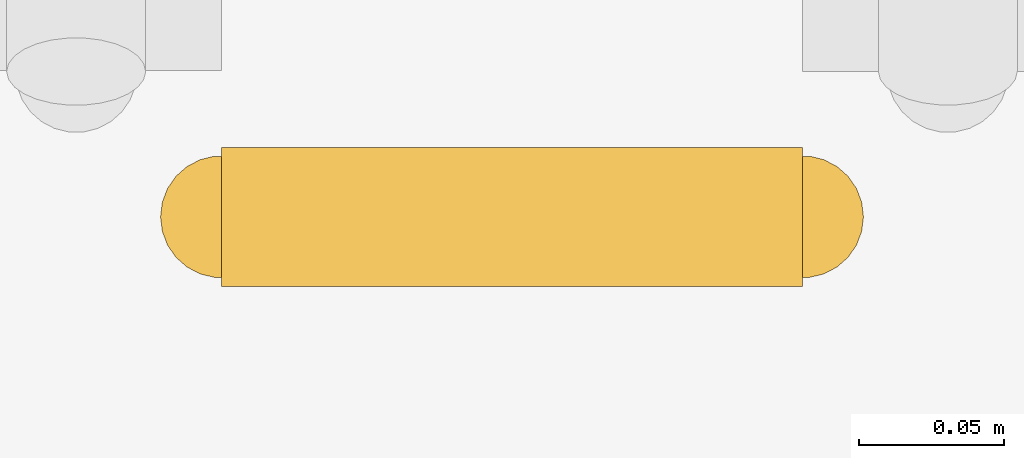
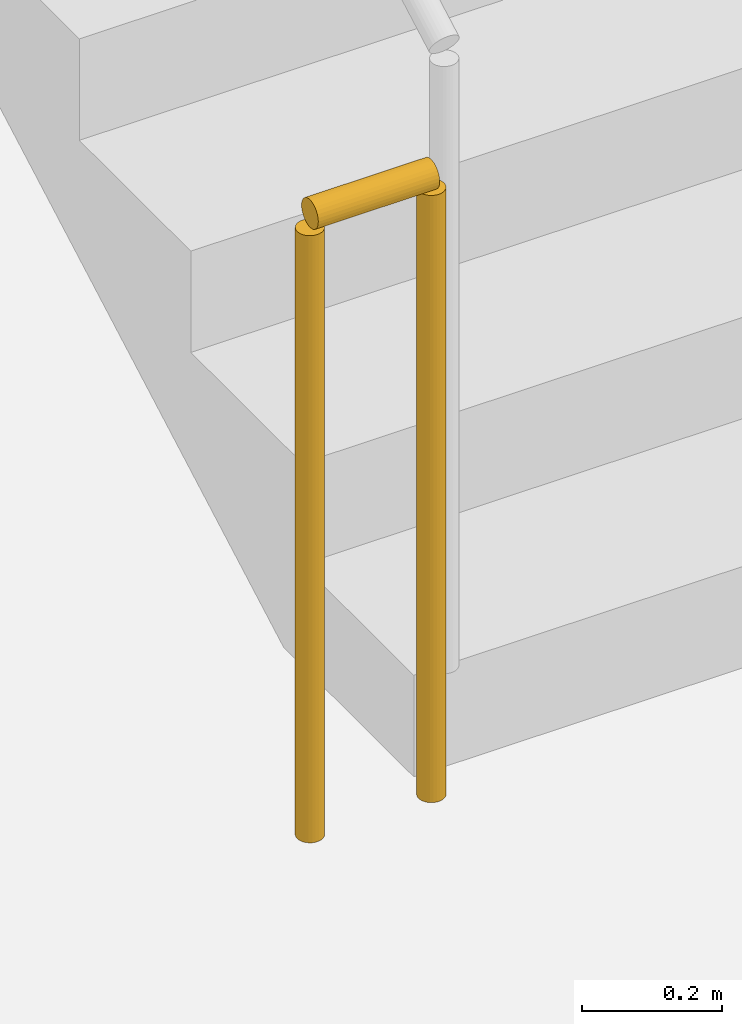
# One storey, part 112 of 121: 1 railing.
"""IFC4 building model written with IfcOpenShell, lengths in metres."""

from ifc_helpers import new_model, si_unit, direction, frame, origin, origin_2d, place, context, subcontext, project, spatial, circle, extrude, material, type_object, element, save


model = new_model("IFC4")

# Units and contexts
model_context = context("Model", 3, precision=1e-05, world=origin(), true_north=direction((0.0, 1.0)))
body_context = subcontext(model_context, "Body", "Model", "MODEL_VIEW")
ifc_project = project(units=[si_unit("LENGTHUNIT", "METRE"), si_unit("AREAUNIT", "SQUARE_METRE"), si_unit("VOLUMEUNIT", "CUBIC_METRE"), si_unit("PLANEANGLEUNIT", "RADIAN"), si_unit("MASSUNIT", "GRAM", prefix="KILO")], contexts=[model_context])

# Site, building, storey
site_placement = place(None, origin())
site = spatial("IfcSite", under=ifc_project, at=site_placement, CompositionType="ELEMENT")
building_placement = place(site_placement, origin())
building = spatial("IfcBuilding", under=site, at=building_placement, Name="Cuetzalor Civic Arena", CompositionType="ELEMENT")
storey_placement = place(building_placement, origin())
storey = spatial("IfcBuildingStorey", under=building, at=storey_placement, Name="L00", CompositionType="ELEMENT", Elevation=0.0)

# Railing
ifc_material = material(Name="Reseda-green architectural Steel S355 balustrade", Category="steel")
railing_type = type_object("IfcRailingType", Name="InteriorVoidBalustrade_1100", PredefinedType="BALUSTRADE", material=ifc_material)
railing_placement = place(storey_placement, frame((36.89990234375, 22.89990234375, 0.0)))
element("IfcRailing", 1, at=railing_placement, inside=storey, type_object=railing_type, Name="L00 ST-02 stair guard 4", PredefinedType="BALUSTRADE", context=body_context, shape_type="SweptSolid", body=[
    extrude(circle(Radius=0.02392578125, at=origin_2d()), frame((0.0, 0.0, 1.0810546875), z_axis=(-1.0, 0.0, 0.0), x_axis=(0.0, -1.0, 0.0)), (0.0, 0.0, 1.0), 0.199951171875),
    extrude(circle(Radius=0.02099609375, at=origin_2d()), origin(), (0.0, 0.0, 1.0), 1.056884765625),
    extrude(circle(Radius=0.02099609375, at=origin_2d()), frame((-0.199951171875, 0.0, 0.0)), (0.0, 0.0, 1.0), 1.056884765625),
])

save(model, "model.ifc")
